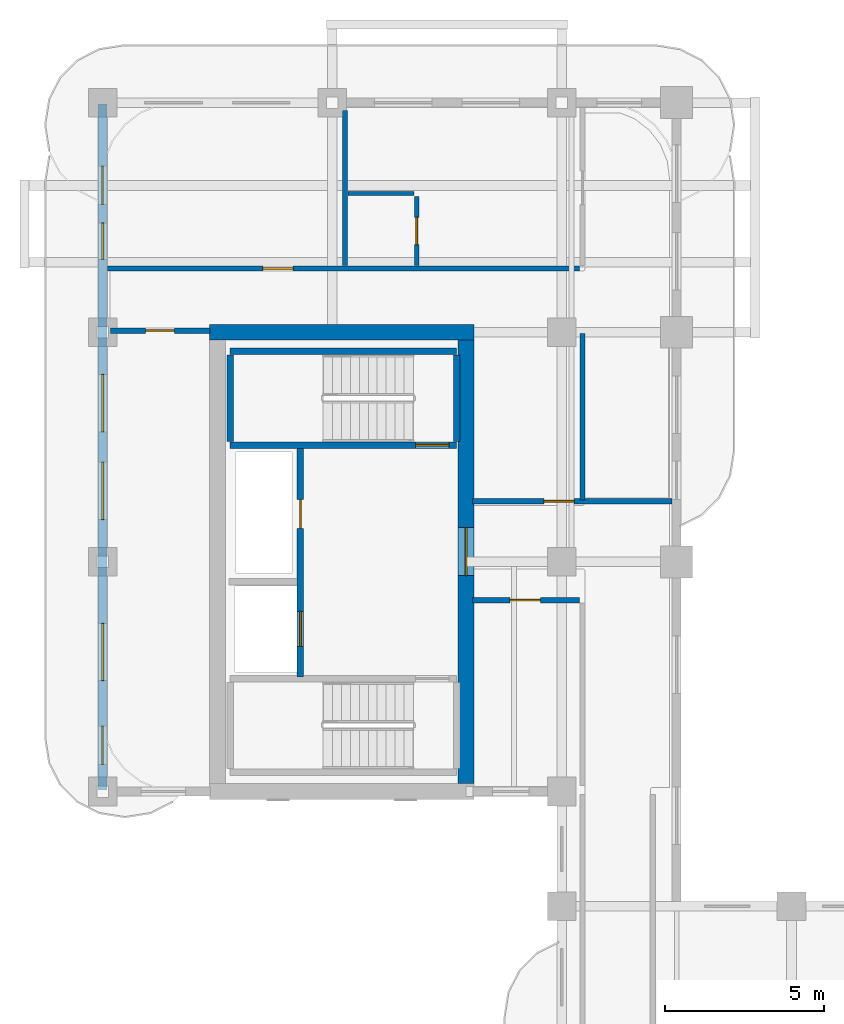
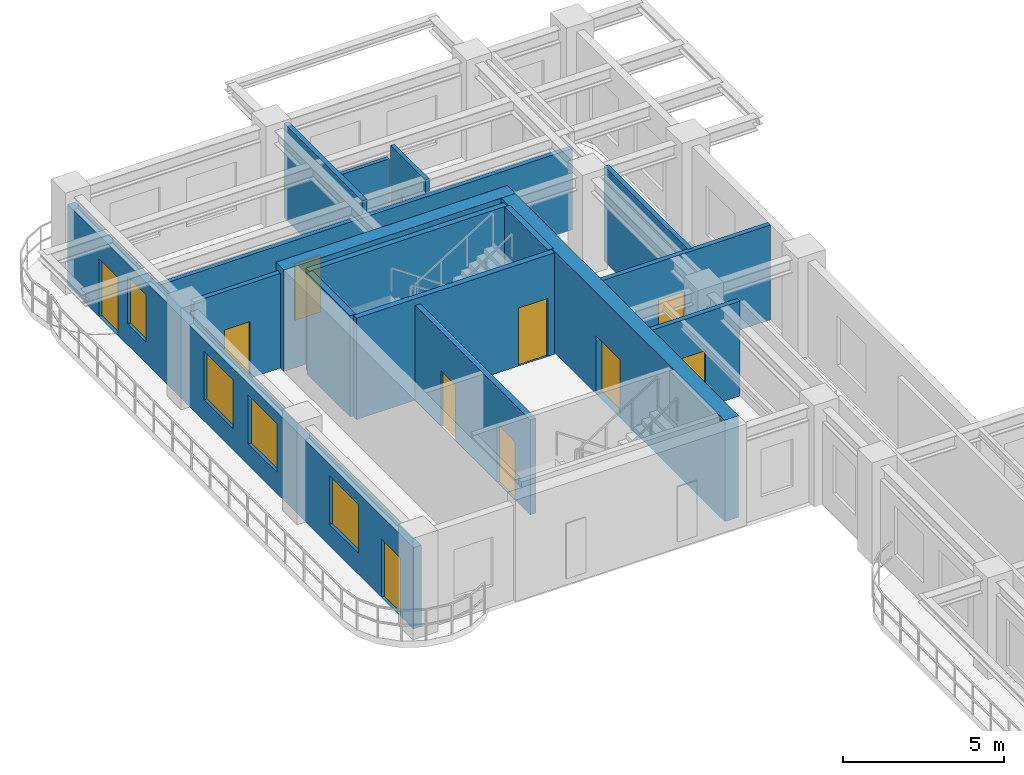
# One storey, part 8 of 14: 16 walls, 11 doors, 4 windows, 15 openings.
"""IFC4 building model written with IfcOpenShell, lengths in metres."""

import ifcopenshell
import ifcopenshell.guid

model = None  # the IFC model being written
_history = None  # IfcOwnerHistory: only IFC2X3 demands one
_inside = {}  # id of a spatial element -> (the spatial element, [elements in it])
_under = {}  # id of a project, library or spatial element -> (it, [spatial elements below it])
_declared = {}  # id of a project -> (the project, [libraries it declares])
_typed = {}  # id of a type object -> (the type object, [elements of that type])
_made_of = {}  # id of a material, layer set ... -> (it, [elements and type objects made of it])


def new_model(schema):
    """Start an empty IFC model of exactly this schema.

    Asked for "IFC4X3", IfcOpenShell would pick the latest addendum, in which some entities
    have other attributes; the version numbers below select the first issue.
    IFC2X3 requires an IfcOwnerHistory on every rooted entity: one is made here for all.
    """
    global model, _history
    if schema == "IFC4X3":
        model = ifcopenshell.file(schema_version=(4, 3, 0, 0))
    else:
        model = ifcopenshell.file(schema=schema)
    _inside.clear()
    _under.clear()
    _declared.clear()
    _typed.clear()
    _made_of.clear()
    _history = None
    if model.schema == "IFC2X3":
        org = make("IfcOrganization", Name="unknown")
        user = make(
            "IfcPersonAndOrganization",
            ThePerson=make("IfcPerson", FamilyName="unknown"),
            TheOrganization=org,
        )
        app = make(
            "IfcApplication",
            ApplicationDeveloper=org,
            Version="unknown",
            ApplicationFullName="unknown",
            ApplicationIdentifier="unknown",
        )
        _history = make(
            "IfcOwnerHistory",
            OwningUser=user,
            OwningApplication=app,
            ChangeAction="ADDED",
            CreationDate=0,
        )
    return model


def make(cls, **values):
    """One entity of the class cls with the attributes given. An attribute that is None is left unset."""
    return model.create_entity(
        cls, **{name: value for name, value in values.items() if value is not None}
    )


def rooted(cls, **values):
    """An entity with a GlobalId (a new one), such as an element, a storey or a relation."""
    return make(cls, GlobalId=ifcopenshell.guid.new(), OwnerHistory=_history, **values)


def si_unit(unit_type, name, prefix=None):
    """IfcSIUnit, for example si_unit("LENGTHUNIT", "METRE", prefix="MILLI")."""
    return make("IfcSIUnit", UnitType=unit_type, Prefix=prefix, Name=name)


def derived_unit(unit_type, elements):
    """IfcDerivedUnit: a product of units, each with its exponent."""
    return make(
        "IfcDerivedUnit",
        Elements=[
            make("IfcDerivedUnitElement", Unit=unit, Exponent=power)
            for unit, power in elements
        ],
        UnitType=unit_type,
    )


def assignment(units):
    """IfcUnitAssignment: the units of a project."""
    return None if units is None else make("IfcUnitAssignment", Units=units)


def point(xyz):
    """IfcCartesianPoint."""
    return None if xyz is None else make("IfcCartesianPoint", Coordinates=xyz)


def direction(xyz):
    """IfcDirection."""
    return None if xyz is None else make("IfcDirection", DirectionRatios=xyz)


def frame(location, z_axis=None, x_axis=None):
    """IfcAxis2Placement3D, a coordinate frame: its origin and axes. An axis left out is left unset."""
    return make(
        "IfcAxis2Placement3D",
        Location=point(location),
        Axis=direction(z_axis),
        RefDirection=direction(x_axis),
    )


def frame_2d(location, x_axis=None):
    """IfcAxis2Placement2D, a coordinate frame in the plane: its origin and x axis."""
    return make(
        "IfcAxis2Placement2D", Location=point(location), RefDirection=direction(x_axis)
    )


def origin():
    """The frame at (0, 0, 0) with its axes left unset."""
    return frame((0.0, 0.0, 0.0))


def place(relative_to, where):
    """IfcLocalPlacement: puts the frame where relative to a parent placement (None: the world)."""
    return make(
        "IfcLocalPlacement", PlacementRelTo=relative_to, RelativePlacement=where
    )


def context(
    kind, dimensions, precision=None, world=None, true_north=None, identifier=None
):
    """IfcGeometricRepresentationContext, for example the 3D "Model" context."""
    return make(
        "IfcGeometricRepresentationContext",
        ContextIdentifier=identifier,
        ContextType=kind,
        CoordinateSpaceDimension=dimensions,
        Precision=precision,
        WorldCoordinateSystem=world,
        TrueNorth=true_north,
    )


def subcontext(parent, identifier, kind, view, scale=None):
    """IfcGeometricRepresentationSubContext, for example "Body" below "Model"."""
    return make(
        "IfcGeometricRepresentationSubContext",
        ContextIdentifier=identifier,
        ContextType=kind,
        ParentContext=parent,
        TargetScale=scale,
        TargetView=view,
    )


def project(units=None, contexts=None):
    """IfcProject with its units and contexts."""
    return rooted(
        "IfcProject",
        Name="project",
        RepresentationContexts=contexts,
        UnitsInContext=assignment(units),
    )


def spatial(cls, under=None, at=None, **own):
    """A site, building, storey or space (cls), placed at a placement, below another one or the project."""
    s = rooted(cls, ObjectPlacement=at, **own)
    if under is not None:
        _under.setdefault(under.id(), (under, []))[1].append(s)
    return s


def profile(cls, at=None, kind="AREA", **sizes):
    """A parametric profile (cls). Its sizes go by their IFC names, for example OverallWidth=200.0."""
    return make(cls, ProfileType=kind, Position=at, **sizes)


def rectangle(**sizes):
    """IfcRectangleProfileDef."""
    return profile("IfcRectangleProfileDef", **sizes)


def extrude(swept, where, along, depth):
    """IfcExtrudedAreaSolid: the profile swept, set in the frame where, extruded along a direction by depth."""
    return make(
        "IfcExtrudedAreaSolid",
        SweptArea=swept,
        Position=where,
        ExtrudedDirection=direction(along),
        Depth=depth,
    )


def shape(context_of_items, identifier, shape_type, items):
    """IfcShapeRepresentation: the items that make up one representation, for example the "Body"."""
    return make(
        "IfcShapeRepresentation",
        ContextOfItems=context_of_items,
        RepresentationIdentifier=identifier,
        RepresentationType=shape_type,
        Items=items,
    )


def source(mapping_origin, context_of_items, identifier, shape_type, items):
    """IfcRepresentationMap: a shape defined once, which mapped items show again and again."""
    return make(
        "IfcRepresentationMap",
        MappingOrigin=mapping_origin,
        MappedRepresentation=shape(context_of_items, identifier, shape_type, items),
    )


def transform(
    local_origin,
    x_axis=None,
    y_axis=None,
    z_axis=None,
    scale=None,
    scale2=None,
    scale3=None,
    uniform=True,
):
    """IfcCartesianTransformationOperator3D, or its non-uniform kind. x_axis, y_axis, z_axis: its Axis1, 2, 3."""
    if uniform:
        return make(
            "IfcCartesianTransformationOperator3D",
            Axis1=direction(x_axis),
            Axis2=direction(y_axis),
            LocalOrigin=point(local_origin),
            Scale=scale,
            Axis3=direction(z_axis),
        )
    return make(
        "IfcCartesianTransformationOperator3DnonUniform",
        Axis1=direction(x_axis),
        Axis2=direction(y_axis),
        LocalOrigin=point(local_origin),
        Scale=scale,
        Axis3=direction(z_axis),
        Scale2=scale2,
        Scale3=scale3,
    )


def mapped(mapping_source, mapping_target):
    """IfcMappedItem: shows the shape of a source again, moved by a transform."""
    return make(
        "IfcMappedItem", MappingSource=mapping_source, MappingTarget=mapping_target
    )


def material(Name=None, Category=None):
    """IfcMaterial."""
    return make("IfcMaterial", Name=Name, Category=Category)


def layer(
    of_material, thickness, ventilated=None, Name=None, Category=None, Priority=None
):
    """IfcMaterialLayer: one layer of a wall or slab, of a material (None: an air gap)."""
    return make(
        "IfcMaterialLayer",
        Material=of_material,
        LayerThickness=thickness,
        IsVentilated=ventilated,
        Name=Name,
        Category=Category,
        Priority=Priority,
    )


def layer_set(layers, Name=None):
    """IfcMaterialLayerSet."""
    return make("IfcMaterialLayerSet", MaterialLayers=layers, LayerSetName=Name)


def made_of(thing, what):
    """Note that an element or type object is made of a material, layer set ...; save() writes the relation."""
    if what is not None:
        _made_of.setdefault(what.id(), (what, []))[1].append(thing)
    return thing


def type_object(cls, material=None, **own):
    """A type object (cls), such as IfcWallType, which elements share."""
    return made_of(rooted(cls, **own), material)


def type_shapes(of_type, sources):
    """Give a type object the sources (RepresentationMaps) that its elements show as mapped items."""
    of_type.RepresentationMaps = sources


def element(
    cls,
    number,
    at=None,
    inside=None,
    cuts=None,
    type_object=None,
    material=None,
    context=None,
    identifier="Body",
    shape_type=None,
    held_by="IfcProductDefinitionShape",
    body=None,
    shapes=None,
    **own,
):
    """One element of the class cls, such as IfcWall. Its Tag is "e" and its number.

    at: its placement. inside: the storey or other place that contains it. cuts: it is an
    opening in that element (IfcRelVoidsElement). A single representation is given by context,
    identifier, shape_type and body (its items); several are given by shapes. held_by: the class
    of the entity that holds the representations. save() writes the other relations.
    """
    e = rooted(cls, Tag="e%d" % number, ObjectPlacement=at, **own)
    if body is not None:
        shapes = [shape(context, identifier, shape_type, body)]
    if shapes is not None:
        e.Representation = make(held_by, Representations=shapes)
    if inside is not None:
        _inside.setdefault(inside.id(), (inside, []))[1].append(e)
    if cuts is not None:
        rooted(
            "IfcRelVoidsElement", RelatingBuildingElement=cuts, RelatedOpeningElement=e
        )
    if type_object is not None:
        _typed.setdefault(type_object.id(), (type_object, []))[1].append(e)
    return made_of(e, material)


def fill(opening, filler):
    """IfcRelFillsElement: the door or window that sits in an opening."""
    return rooted(
        "IfcRelFillsElement",
        RelatingOpeningElement=opening,
        RelatedBuildingElement=filler,
    )


def aggregate(whole, parts):
    """IfcRelAggregates: a whole, such as a stair, and the parts it consists of."""
    return rooted("IfcRelAggregates", RelatingObject=whole, RelatedObjects=parts)


def save(model, path):
    """Write the relations noted so far, then the file.

    IfcRelAggregates (storeys below a building ...), IfcRelContainedInSpatialStructure (elements
    in a storey), IfcRelDefinesByType, IfcRelAssociatesMaterial and IfcRelDeclares: one each for
    every whole, place, type object, material and project.
    """
    for whole, parts in _under.values():
        aggregate(whole, parts)
    for where, things in _inside.values():
        rooted(
            "IfcRelContainedInSpatialStructure",
            RelatedElements=things,
            RelatingStructure=where,
        )
    for kind, things in _typed.values():
        rooted("IfcRelDefinesByType", RelatedObjects=things, RelatingType=kind)
    for what, things in _made_of.values():
        rooted("IfcRelAssociatesMaterial", RelatedObjects=things, RelatingMaterial=what)
    for by, libraries in _declared.values():
        rooted("IfcRelDeclares", RelatingContext=by, RelatedDefinitions=libraries)
    model.write(path)


model = new_model("IFC4")

# Units and contexts
model_context = context("Model", 3, precision=1e-05, world=origin(), true_north=direction((0.0, 1.0)))
body_context = subcontext(model_context, "Body", "Model", "MODEL_VIEW")
ifc_project = project(units=[si_unit("LENGTHUNIT", "METRE"), si_unit("AREAUNIT", "SQUARE_METRE"), si_unit("VOLUMEUNIT", "CUBIC_METRE"), si_unit("PLANEANGLEUNIT", "RADIAN"), si_unit("MASSUNIT", "GRAM", prefix="KILO"), si_unit("THERMODYNAMICTEMPERATUREUNIT", "KELVIN"), si_unit("POWERUNIT", "WATT"), derived_unit("THERMALTRANSMITTANCEUNIT", [(si_unit("POWERUNIT", "WATT"), 1), (si_unit("AREAUNIT", "SQUARE_METRE"), -1), (si_unit("THERMODYNAMICTEMPERATUREUNIT", "KELVIN"), -1)])], contexts=[model_context])

# Site, building, storey
site_placement = place(None, origin())
site = spatial("IfcSite", under=ifc_project, at=site_placement, CompositionType="ELEMENT")
building_placement = place(site_placement, origin())
building = spatial("IfcBuilding", under=site, at=building_placement, Name="Zahravan Archway Hotel and Residences", CompositionType="ELEMENT")
storey_placement = place(building_placement, frame((0.0, 0.0, 205.75)))
storey = spatial("IfcBuildingStorey", under=building, at=storey_placement, Name="L51", CompositionType="ELEMENT", Elevation=205.75)

# Wall
ifc_material_1 = material(Name="Concrete C60/75", Category="concrete")
ifc_layer_1 = layer(ifc_material_1, 0.5, Name="Concrete C60/75", Category="concrete")
ifc_layer_set_1 = layer_set([ifc_layer_1], Name="Concrete C60/75")
wall_type_1 = type_object("IfcWallType", Name="CW-CORE-500", PredefinedType="SHEAR", material=ifc_layer_set_1)
wall_1_placement = place(storey_placement, frame((3.35009765625, 39.60009765625, 0.0), z_axis=(0.0, 0.0, 1.0), x_axis=(1.0, 0.0, 0.0)))
element("IfcWall", 1, at=wall_1_placement, inside=storey, type_object=wall_type_1, Name="L51 Core B Shear N Wall 500 mm", PredefinedType="SHEAR", context=body_context, shape_type="SweptSolid", body=[
    extrude(rectangle(XDim=8.2998046875, YDim=0.5, at=frame_2d((4.14990234375, 0.0))), origin(), (0.0, 0.0, 1.0), 3.85009765625),
])

# Wall, opening, door
wall_2_placement = place(storey_placement, frame((11.39990234375, 25.449951171875, 0.0), z_axis=(0.0, 0.0, 1.0), x_axis=(0.0, 1.0, 0.0)))
wall_2 = element("IfcWall", 2, at=wall_2_placement, inside=storey, type_object=wall_type_1, Name="L51 Core B Shear E Wall 500 mm", PredefinedType="SHEAR", context=body_context, shape_type="SweptSolid", body=[
    extrude(rectangle(XDim=13.900146484375, YDim=0.5, at=frame_2d((6.9501953125, 0.0))), origin(), (0.0, 0.0, 1.0), 3.85009765625),
])
opening_1_placement = place(wall_2_placement, frame((6.52001953125, 0.0, 0.0)))
opening_1 = element("IfcOpeningElement", 3, at=opening_1_placement, cuts=wall_2, Name="Opening FD-L1", PredefinedType="OPENING", context=body_context, shape_type="SweptSolid", body=[
    extrude(rectangle(XDim=1.5, YDim=2.199951171875, at=frame_2d((0.75, 1.10009765625))), frame((0.0, 0.260009765625, 0.0), z_axis=(0.0, -1.0, 0.0), x_axis=(1.0, 0.0, 0.0)), (0.0, 0.0, 1.0), 0.52001953125),
])
ifc_material_2 = material(Name="Fire-Rated Painted Steel", Category="steel")
door_type_1 = type_object("IfcDoorType", Name="FD-LOBBY-1500", OperationType="DOUBLE_DOOR_SINGLE_SWING", PredefinedType="DOOR", material=ifc_material_2)
shared_shape_1 = source(origin(), body_context, "Body", "SweptSolid", [
    extrude(rectangle(XDim=1.5, YDim=2.199951171875, at=frame_2d((0.75, 1.10009765625))), frame((0.0, 0.02490234375, 0.0), z_axis=(0.0, -1.0, 0.0), x_axis=(1.0, 0.0, 0.0)), (0.0, 0.0, 1.0), 0.050048828125),
])
type_shapes(door_type_1, [shared_shape_1])
door_1_placement = place(opening_1_placement, origin())
door_1 = element("IfcDoor", 4, at=door_1_placement, inside=storey, type_object=door_type_1, Name="L51 Core B FSAE Lobby Door", OperationType="DOUBLE_DOOR_SINGLE_SWING", OverallHeight=2.199951171875, OverallWidth=1.5, PredefinedType="DOOR", context=body_context, shape_type="MappedRepresentation", body=[
    mapped(shared_shape_1, transform((0.0, 0.0, 0.0), scale=1.0)),
])
fill(opening_1, door_1)

# Wall, openings, doors, windows
ifc_material_3 = material(Name="Honed Red-Ochre Sandstone & Insulated Block", Category="masonry")
ifc_layer_2 = layer(ifc_material_3, 0.280029296875, Name="Honed Red-Ochre Sandstone & Insulated Block", Category="masonry")
ifc_layer_set_2 = layer_set([ifc_layer_2], Name="Honed Red-Ochre Sandstone & Insulated Block")
wall_type_2 = type_object("IfcWallType", Name="EW-LOG-280", PredefinedType="SOLIDWALL", material=ifc_layer_set_2)
wall_3_placement = place(storey_placement, frame((0.0, 25.25, 0.0), z_axis=(0.0, 0.0, 1.0), x_axis=(0.0, 1.0, 0.0)))
wall_3 = element("IfcWall", 5, at=wall_3_placement, inside=storey, type_object=wall_type_2, Name="L51 Exterior Sandstone Wall WB-W", PredefinedType="SOLIDWALL", context=body_context, shape_type="SweptSolid", body=[
    extrude(rectangle(XDim=21.5, YDim=0.280029296875, at=frame_2d((10.75, 0.0))), origin(), (0.0, 0.0, 1.0), 3.0849609375),
])
opening_2_placement = place(wall_3_placement, frame((18.35693359375, 0.0, 0.0)))
opening_2 = element("IfcOpeningElement", 6, at=opening_2_placement, cuts=wall_3, Name="Opening ED-BL1", PredefinedType="OPENING", context=body_context, shape_type="SweptSolid", body=[
    extrude(rectangle(XDim=1.199951171875, YDim=2.199951171875, at=frame_2d((0.60009765625, 1.10009765625))), frame((0.0, 0.14990234375, 0.0), z_axis=(0.0, -1.0, 0.0), x_axis=(1.0, 0.0, 0.0)), (0.0, 0.0, 1.0), 0.300048828125),
])
opening_3_placement = place(wall_3_placement, frame((0.800048828125, 0.0, 0.0)))
opening_3 = element("IfcOpeningElement", 7, at=opening_3_placement, cuts=wall_3, Name="Opening ED-BL1", PredefinedType="OPENING", context=body_context, shape_type="SweptSolid", body=[
    extrude(rectangle(XDim=1.199951171875, YDim=2.199951171875, at=frame_2d((0.60009765625, 1.10009765625))), frame((0.0, 0.14990234375, 0.0), z_axis=(0.0, -1.0, 0.0), x_axis=(1.0, 0.0, 0.0)), (0.0, 0.0, 1.0), 0.300048828125),
])
opening_4_placement = place(wall_3_placement, frame((3.425048828125, 0.0, 0.800048828125)))
opening_4 = element("IfcOpeningElement", 8, at=opening_4_placement, cuts=wall_3, Name="Opening W-02", PredefinedType="OPENING", context=body_context, shape_type="SweptSolid", body=[
    extrude(rectangle(XDim=1.800048828125, YDim=1.85009765625, at=frame_2d((0.89990234375, 0.925048828125))), frame((0.0, 0.14990234375, 0.0), z_axis=(0.0, -1.0, 0.0), x_axis=(1.0, 0.0, 0.0)), (0.0, 0.0, 1.0), 0.300048828125),
])
opening_5_placement = place(wall_3_placement, frame((8.47509765625, 0.0, 0.800048828125)))
opening_5 = element("IfcOpeningElement", 9, at=opening_5_placement, cuts=wall_3, Name="Opening W-02", PredefinedType="OPENING", context=body_context, shape_type="SweptSolid", body=[
    extrude(rectangle(XDim=1.800048828125, YDim=1.85009765625, at=frame_2d((0.89990234375, 0.925048828125))), frame((0.0, 0.14990234375, 0.0), z_axis=(0.0, -1.0, 0.0), x_axis=(1.0, 0.0, 0.0)), (0.0, 0.0, 1.0), 0.300048828125),
])
opening_6_placement = place(wall_3_placement, frame((11.22509765625, 0.0, 0.800048828125)))
opening_6 = element("IfcOpeningElement", 10, at=opening_6_placement, cuts=wall_3, Name="Opening W-02", PredefinedType="OPENING", context=body_context, shape_type="SweptSolid", body=[
    extrude(rectangle(XDim=1.800048828125, YDim=1.85009765625, at=frame_2d((0.89990234375, 0.925048828125))), frame((0.0, 0.14990234375, 0.0), z_axis=(0.0, -1.0, 0.0), x_axis=(1.0, 0.0, 0.0)), (0.0, 0.0, 1.0), 0.300048828125),
])
opening_7_placement = place(wall_3_placement, frame((16.632080078125, 0.0, 0.800048828125)))
opening_7 = element("IfcOpeningElement", 11, at=opening_7_placement, cuts=wall_3, Name="Opening W-05", PredefinedType="OPENING", context=body_context, shape_type="SweptSolid", body=[
    extrude(rectangle(XDim=1.14990234375, YDim=1.800048828125, at=frame_2d((0.574951171875, 0.89990234375))), frame((0.0, 0.14990234375, 0.0), z_axis=(0.0, -1.0, 0.0), x_axis=(1.0, 0.0, 0.0)), (0.0, 0.0, 1.0), 0.300048828125),
])
ifc_material_4 = material(Name="Bronze-Anodized Glazed Aluminium", Category="aluminium")
door_type_2 = type_object("IfcDoorType", Name="ED-BALC-1200", OperationType="SLIDING_TO_LEFT", PredefinedType="DOOR", material=ifc_material_4)
shared_shape_2 = source(origin(), body_context, "Body", "SweptSolid", [
    extrude(rectangle(XDim=1.199951171875, YDim=2.199951171875, at=frame_2d((0.60009765625, 1.10009765625))), frame((0.0, 0.02490234375, 0.0), z_axis=(0.0, -1.0, 0.0), x_axis=(1.0, 0.0, 0.0)), (0.0, 0.0, 1.0), 0.050048828125),
])
type_shapes(door_type_2, [shared_shape_2])
door_2_placement = place(opening_2_placement, origin())
door_2 = element("IfcDoor", 12, at=door_2_placement, inside=storey, type_object=door_type_2, Name="L51 Outdoor Access Sliding Door (SLB-BAL-L51-NB)", OperationType="SLIDING_TO_LEFT", OverallHeight=2.199951171875, OverallWidth=1.199951171875, PredefinedType="DOOR", context=body_context, shape_type="MappedRepresentation", body=[
    mapped(shared_shape_2, transform((0.0, 0.0, 0.0), scale=1.0)),
])
fill(opening_2, door_2)
door_3_placement = place(opening_3_placement, origin())
door_3 = element("IfcDoor", 13, at=door_3_placement, inside=storey, type_object=door_type_2, Name="L51 Outdoor Access Sliding Door (SLB-BAL-L51-WB)", OperationType="SLIDING_TO_LEFT", OverallHeight=2.199951171875, OverallWidth=1.199951171875, PredefinedType="DOOR", context=body_context, shape_type="MappedRepresentation", body=[
    mapped(shared_shape_2, transform((0.0, 0.0, 0.0), scale=1.0)),
])
fill(opening_3, door_3)
ifc_material_5 = material(Name="Bronze-Anodized Thermal-Break Aluminium & Low-E Glass", Category="aluminium")
window_type_1 = type_object("IfcWindowType", Name="WIN-TWR-1800", PartitioningType="DOUBLE_PANEL_VERTICAL", PredefinedType="WINDOW", material=ifc_material_5)
shared_shape_3 = source(origin(), body_context, "Body", "SweptSolid", [
    extrude(rectangle(XDim=1.800048828125, YDim=1.85009765625, at=frame_2d((0.89990234375, 0.925048828125))), frame((0.0, 0.030029296875, 0.0), z_axis=(0.0, -1.0, 0.0), x_axis=(1.0, 0.0, 0.0)), (0.0, 0.0, 1.0), 0.06005859375),
])
type_shapes(window_type_1, [shared_shape_3])
window_1_placement = place(opening_4_placement, origin())
window_1 = element("IfcWindow", 14, at=window_1_placement, inside=storey, type_object=window_type_1, Name="L51 Loggia Window 31", OverallHeight=1.85009765625, OverallWidth=1.800048828125, PartitioningType="DOUBLE_PANEL_VERTICAL", PredefinedType="WINDOW", context=body_context, shape_type="MappedRepresentation", body=[
    mapped(shared_shape_3, transform((0.0, 0.0, 0.0), scale=1.0)),
])
fill(opening_4, window_1)
window_2_placement = place(opening_5_placement, origin())
window_2 = element("IfcWindow", 15, at=window_2_placement, inside=storey, type_object=window_type_1, Name="L51 Loggia Window 32", OverallHeight=1.85009765625, OverallWidth=1.800048828125, PartitioningType="DOUBLE_PANEL_VERTICAL", PredefinedType="WINDOW", context=body_context, shape_type="MappedRepresentation", body=[
    mapped(shared_shape_3, transform((0.0, 0.0, 0.0), scale=1.0)),
])
fill(opening_5, window_2)
window_3_placement = place(opening_6_placement, origin())
window_3 = element("IfcWindow", 16, at=window_3_placement, inside=storey, type_object=window_type_1, Name="L51 Loggia Window 33", OverallHeight=1.85009765625, OverallWidth=1.800048828125, PartitioningType="DOUBLE_PANEL_VERTICAL", PredefinedType="WINDOW", context=body_context, shape_type="MappedRepresentation", body=[
    mapped(shared_shape_3, transform((0.0, 0.0, 0.0), scale=1.0)),
])
fill(opening_6, window_3)
window_type_2 = type_object("IfcWindowType", Name="WIN-TWR-1150", PartitioningType="SINGLE_PANEL", PredefinedType="WINDOW", material=ifc_material_5)
shared_shape_4 = source(origin(), body_context, "Body", "SweptSolid", [
    extrude(rectangle(XDim=1.14990234375, YDim=1.800048828125, at=frame_2d((0.574951171875, 0.89990234375))), frame((0.0, 0.030029296875, 0.0), z_axis=(0.0, -1.0, 0.0), x_axis=(1.0, 0.0, 0.0)), (0.0, 0.0, 1.0), 0.06005859375),
])
type_shapes(window_type_2, [shared_shape_4])
window_4_placement = place(opening_7_placement, origin())
window_4 = element("IfcWindow", 17, at=window_4_placement, inside=storey, type_object=window_type_2, Name="L51 Loggia Window 34", OverallHeight=1.800048828125, OverallWidth=1.14990234375, PartitioningType="SINGLE_PANEL", PredefinedType="WINDOW", context=body_context, shape_type="MappedRepresentation", body=[
    mapped(shared_shape_4, transform((0.0, 0.0, 0.0), scale=1.0)),
])
fill(opening_7, window_4)

# Wall
ifc_material_6 = material(Name="Fire-Rated Gypsum & Concrete Block", Category="concrete")
ifc_layer_3 = layer(ifc_material_6, 0.159912109375, Name="Fire-Rated Gypsum & Concrete Block", Category="concrete")
ifc_layer_set_3 = layer_set([ifc_layer_3], Name="Fire-Rated Gypsum & Concrete Block")
wall_type_3 = type_object("IfcWallType", Name="PW-CORR-160", PredefinedType="PARTITIONING", material=ifc_layer_set_3)
wall_4_placement = place(storey_placement, frame((15.050048828125, 34.340087890625, 0.0), z_axis=(0.0, 0.0, 1.0), x_axis=(0.0, 1.0, 0.0)))
element("IfcWall", 18, at=wall_4_placement, inside=storey, type_object=wall_type_3, Name="L51 Partition WBN-CL", PredefinedType="PARTITIONING", context=body_context, shape_type="SweptSolid", body=[
    extrude(rectangle(XDim=5.219970703125, YDim=0.159912109375, at=frame_2d((2.60986328125, 0.0))), origin(), (0.0, 0.0, 1.0), 3.60009765625),
])

# Wall, opening, door
wall_5_placement = place(storey_placement, frame((0.14794921875, 41.60009765625, 0.0), z_axis=(0.0, 0.0, 1.0), x_axis=(1.0, 0.0, 0.0)))
wall_5 = element("IfcWall", 19, at=wall_5_placement, inside=storey, type_object=wall_type_3, Name="L51 Partition WBN-S2", PredefinedType="PARTITIONING", context=body_context, shape_type="SweptSolid", body=[
    extrude(rectangle(XDim=14.81201171875, YDim=0.159912109375, at=frame_2d((7.406005859375, 0.0))), origin(), (0.0, 0.0, 1.0), 3.0849609375),
])
opening_8_placement = place(wall_5_placement, frame((4.876953125, 0.0, 0.0)))
opening_8 = element("IfcOpeningElement", 20, at=opening_8_placement, cuts=wall_5, Name="Opening D-I1", PredefinedType="OPENING", context=body_context, shape_type="SweptSolid", body=[
    extrude(rectangle(XDim=0.949951171875, YDim=2.14990234375, at=frame_2d((0.47509765625, 1.074951171875))), frame((0.0, 0.08984375, 0.0), z_axis=(0.0, -1.0, 0.0), x_axis=(1.0, 0.0, 0.0)), (0.0, 0.0, 1.0), 0.179931640625),
])
ifc_material_7 = material(Name="Hardwood Veneer Timber", Category="wood")
door_type_3 = type_object("IfcDoorType", Name="ID-INT-950", OperationType="NOTDEFINED", PredefinedType="DOOR", material=ifc_material_7)
shared_shape_5 = source(origin(), body_context, "Body", "SweptSolid", [
    extrude(rectangle(XDim=0.949951171875, YDim=2.14990234375, at=frame_2d((0.47509765625, 1.074951171875))), frame((0.0, 0.02490234375, 0.0), z_axis=(0.0, -1.0, 0.0), x_axis=(1.0, 0.0, 0.0)), (0.0, 0.0, 1.0), 0.050048828125),
])
type_shapes(door_type_3, [shared_shape_5])
door_4_placement = place(opening_8_placement, origin())
door_4 = element("IfcDoor", 21, at=door_4_placement, inside=storey, type_object=door_type_3, Name="L51 North West Study Door", OperationType="SINGLE_SWING_RIGHT", OverallHeight=2.14990234375, OverallWidth=0.949951171875, PredefinedType="DOOR", context=body_context, shape_type="MappedRepresentation", body=[
    mapped(shared_shape_5, transform((0.0, 0.0, 0.0), scale=1.0)),
])
fill(opening_8, door_4)

# Wall, openings, doors
ifc_layer_4 = layer(ifc_material_6, 0.199951171875, Name="Fire-Rated Gypsum & Concrete Block", Category="concrete")
ifc_layer_set_4 = layer_set([ifc_layer_4], Name="Fire-Rated Gypsum & Concrete Block")
wall_type_4 = type_object("IfcWallType", Name="PW-SHAFT-200", PredefinedType="PARTITIONING", material=ifc_layer_set_4)
wall_6_placement = place(storey_placement, frame((6.199951171875, 28.7900390625, 0.0), z_axis=(0.0, 0.0, 1.0), x_axis=(0.0, 1.0, 0.0)))
wall_6 = element("IfcWall", 22, at=wall_6_placement, inside=storey, type_object=wall_type_4, Name="L51 Partition CB-FL3E", PredefinedType="PARTITIONING", context=body_context, shape_type="SweptSolid", body=[
    extrude(rectangle(XDim=7.219970703125, YDim=0.199951171875, at=frame_2d((3.60986328125, 0.0))), origin(), (0.0, 0.0, 1.0), 3.60009765625),
])
opening_9_placement = place(wall_6_placement, frame((4.659912109375, 0.0, 0.0)))
opening_9 = element("IfcOpeningElement", 23, at=opening_9_placement, cuts=wall_6, Name="Opening FD-R1", PredefinedType="OPENING", context=body_context, shape_type="SweptSolid", body=[
    extrude(rectangle(XDim=0.89990234375, YDim=2.10009765625, at=frame_2d((0.449951171875, 1.050048828125))), frame((0.0, 0.10986328125, 0.0), z_axis=(0.0, -1.0, 0.0), x_axis=(1.0, 0.0, 0.0)), (0.0, 0.0, 1.0), 0.219970703125),
])
opening_10_placement = place(wall_6_placement, frame((0.9599609375, 0.0, 0.0)))
opening_10 = element("IfcOpeningElement", 24, at=opening_10_placement, cuts=wall_6, Name="Opening LD", PredefinedType="OPENING", context=body_context, shape_type="SweptSolid", body=[
    extrude(rectangle(XDim=1.10009765625, YDim=2.199951171875, at=frame_2d((0.550048828125, 1.10009765625))), frame((0.0, 0.10986328125, 0.0), z_axis=(0.0, -1.0, 0.0), x_axis=(1.0, 0.0, 0.0)), (0.0, 0.0, 1.0), 0.219970703125),
])
door_type_4 = type_object("IfcDoorType", Name="FD-RISER-900", OperationType="NOTDEFINED", PredefinedType="DOOR", material=ifc_material_2)
shared_shape_6 = source(origin(), body_context, "Body", "SweptSolid", [
    extrude(rectangle(XDim=0.89990234375, YDim=2.10009765625, at=frame_2d((0.449951171875, 1.050048828125))), frame((0.0, 0.02490234375, 0.0), z_axis=(0.0, -1.0, 0.0), x_axis=(1.0, 0.0, 0.0)), (0.0, 0.0, 1.0), 0.050048828125),
])
type_shapes(door_type_4, [shared_shape_6])
door_5_placement = place(opening_9_placement, origin())
door_5 = element("IfcDoor", 25, at=door_5_placement, inside=storey, type_object=door_type_4, Name="L51 Core B Riser Door", OperationType="SINGLE_SWING_LEFT", OverallHeight=2.10009765625, OverallWidth=0.89990234375, PredefinedType="DOOR", context=body_context, shape_type="MappedRepresentation", body=[
    mapped(shared_shape_6, transform((0.0, 0.0, 0.0), scale=1.0)),
])
fill(opening_9, door_5)
ifc_material_8 = material(Name="Brushed Stainless Steel", Category="steel")
door_type_5 = type_object("IfcDoorType", Name="DR-LIFT-LD", OperationType="SLIDING_TO_LEFT", PredefinedType="DOOR", material=ifc_material_8)
shared_shape_7 = source(origin(), body_context, "Body", "SweptSolid", [
    extrude(rectangle(XDim=1.10009765625, YDim=2.199951171875, at=frame_2d((0.550048828125, 1.10009765625))), frame((0.0, 0.02490234375, 0.0), z_axis=(0.0, -1.0, 0.0), x_axis=(1.0, 0.0, 0.0)), (0.0, 0.0, 1.0), 0.050048828125),
])
type_shapes(door_type_5, [shared_shape_7])
door_6_placement = place(opening_10_placement, origin())
door_6 = element("IfcDoor", 26, at=door_6_placement, inside=storey, type_object=door_type_5, Name="L51 Lift FL-3 Sliding Landing Door", OperationType="SLIDING_TO_LEFT", OverallHeight=2.199951171875, OverallWidth=1.10009765625, PredefinedType="DOOR", context=body_context, shape_type="MappedRepresentation", body=[
    mapped(shared_shape_7, transform((0.0, 0.0, 0.0), scale=1.0)),
])
fill(opening_10, door_6)

# Wall, opening, door
ifc_material_9 = material(Name="Acoustic Stud Partition")
ifc_layer_5 = layer(ifc_material_9, 0.169921875, Name="Acoustic Stud Partition")
ifc_layer_set_5 = layer_set([ifc_layer_5], Name="Acoustic Stud Partition")
wall_type_5 = type_object("IfcWallType", Name="PW-UNIT-170", PredefinedType="PARTITIONING", material=ifc_layer_set_5)
wall_7_placement = place(storey_placement, frame((0.239990234375, 39.64990234375, 0.0), z_axis=(0.0, 0.0, 1.0), x_axis=(1.0, 0.0, 0.0)))
wall_7 = element("IfcWall", 27, at=wall_7_placement, inside=storey, type_object=wall_type_5, Name="L51 Partition WBW-N", PredefinedType="PARTITIONING", context=body_context, shape_type="SweptSolid", body=[
    extrude(rectangle(XDim=3.1201171875, YDim=0.169921875, at=frame_2d((1.56005859375, 0.0))), origin(), (0.0, 0.0, 1.0), 3.60009765625),
])
opening_11_placement = place(wall_7_placement, frame((1.110107421875, 0.0, 0.0)))
opening_11 = element("IfcOpeningElement", 28, at=opening_11_placement, cuts=wall_7, Name="Opening D-I2", PredefinedType="OPENING", context=body_context, shape_type="SweptSolid", body=[
    extrude(rectangle(XDim=0.89990234375, YDim=2.14990234375, at=frame_2d((0.449951171875, 1.074951171875))), frame((0.0, 0.094970703125, 0.0), z_axis=(0.0, -1.0, 0.0), x_axis=(1.0, 0.0, 0.0)), (0.0, 0.0, 1.0), 0.18994140625),
])
door_type_6 = type_object("IfcDoorType", Name="ID-INT-900", OperationType="NOTDEFINED", PredefinedType="DOOR", material=ifc_material_7)
shared_shape_8 = source(origin(), body_context, "Body", "SweptSolid", [
    extrude(rectangle(XDim=0.89990234375, YDim=2.14990234375, at=frame_2d((0.449951171875, 1.074951171875))), frame((0.0, 0.02490234375, 0.0), z_axis=(0.0, -1.0, 0.0), x_axis=(1.0, 0.0, 0.0)), (0.0, 0.0, 1.0), 0.050048828125),
])
type_shapes(door_type_6, [shared_shape_8])
door_7_placement = place(opening_11_placement, origin())
door_7 = element("IfcDoor", 29, at=door_7_placement, inside=storey, type_object=door_type_6, Name="L51 West Loggia Salon Door", OperationType="SINGLE_SWING_RIGHT", OverallHeight=2.14990234375, OverallWidth=0.89990234375, PredefinedType="DOOR", context=body_context, shape_type="MappedRepresentation", body=[
    mapped(shared_shape_8, transform((0.0, 0.0, 0.0), scale=1.0)),
])
fill(opening_11, door_7)

# Wall
wall_8_placement = place(storey_placement, frame((7.60009765625, 41.68994140625, 0.0), z_axis=(0.0, 0.0, 1.0), x_axis=(0.0, 1.0, 0.0)))
element("IfcWall", 30, at=wall_8_placement, inside=storey, type_object=wall_type_5, Name="L51 Partition WBN-V2", PredefinedType="PARTITIONING", context=body_context, shape_type="SweptSolid", body=[
    extrude(rectangle(XDim=4.8701171875, YDim=0.169921875, at=frame_2d((2.43505859375, 0.0))), origin(), (0.0, 0.0, 1.0), 3.60009765625),
])

# Wall, opening, door
wall_9_placement = place(storey_placement, frame((11.590087890625, 31.199951171875, 0.0), z_axis=(0.0, 0.0, 1.0), x_axis=(1.0, 0.0, 0.0)))
wall_9 = element("IfcWall", 31, at=wall_9_placement, inside=storey, type_object=wall_type_5, Name="L51 Partition FB1-N", PredefinedType="PARTITIONING", context=body_context, shape_type="SweptSolid", body=[
    extrude(rectangle(XDim=3.369873046875, YDim=0.169921875, at=frame_2d((1.68505859375, 0.0))), origin(), (0.0, 0.0, 1.0), 3.60009765625),
])
opening_12_placement = place(wall_9_placement, frame((1.18505859375, 0.0, 0.0)))
opening_12 = element("IfcOpeningElement", 32, at=opening_12_placement, cuts=wall_9, Name="Opening D-I1", PredefinedType="OPENING", context=body_context, shape_type="SweptSolid", body=[
    extrude(rectangle(XDim=0.949951171875, YDim=2.14990234375, at=frame_2d((0.47509765625, 1.074951171875))), frame((0.0, 0.094970703125, 0.0), z_axis=(0.0, -1.0, 0.0), x_axis=(1.0, 0.0, 0.0)), (0.0, 0.0, 1.0), 0.18994140625),
])
door_8_placement = place(opening_12_placement, origin())
door_8 = element("IfcDoor", 33, at=door_8_placement, inside=storey, type_object=door_type_3, Name="L51 Freed Bank 1 Reading Salon Door", OperationType="SINGLE_SWING_LEFT", OverallHeight=2.14990234375, OverallWidth=0.949951171875, PredefinedType="DOOR", context=body_context, shape_type="MappedRepresentation", body=[
    mapped(shared_shape_5, transform((0.0, 0.0, 0.0), scale=1.0)),
])
fill(opening_12, door_8)

wall_10_placement = place(storey_placement, frame((11.590087890625, 34.300048828125, 0.0), z_axis=(0.0, 0.0, 1.0), x_axis=(1.0, 0.0, 0.0)))
wall_10 = element("IfcWall", 34, at=wall_10_placement, inside=storey, type_object=wall_type_5, Name="L51 Partition FB2-S", PredefinedType="PARTITIONING", context=body_context, shape_type="SweptSolid", body=[
    extrude(rectangle(XDim=6.261962890625, YDim=0.169921875, at=frame_2d((3.130859375, 0.0))), origin(), (0.0, 0.0, 1.0), 3.60009765625),
])
opening_13_placement = place(wall_10_placement, frame((2.244384765625, 0.0, 0.0)))
opening_13 = element("IfcOpeningElement", 35, at=opening_13_placement, cuts=wall_10, Name="Opening D-I1", PredefinedType="OPENING", context=body_context, shape_type="SweptSolid", body=[
    extrude(rectangle(XDim=0.949951171875, YDim=2.14990234375, at=frame_2d((0.47509765625, 1.074951171875))), frame((0.0, 0.094970703125, 0.0), z_axis=(0.0, -1.0, 0.0), x_axis=(1.0, 0.0, 0.0)), (0.0, 0.0, 1.0), 0.18994140625),
])
door_9_placement = place(opening_13_placement, origin())
door_9 = element("IfcDoor", 36, at=door_9_placement, inside=storey, type_object=door_type_3, Name="L51 Freed Bank 2 Summit Archive Door", OperationType="SINGLE_SWING_RIGHT", OverallHeight=2.14990234375, OverallWidth=0.949951171875, PredefinedType="DOOR", context=body_context, shape_type="MappedRepresentation", body=[
    mapped(shared_shape_5, transform((0.0, 0.0, 0.0), scale=1.0)),
])
fill(opening_13, door_9)

# Wall
ifc_material_10 = material(Name="Moisture-Resistant Blockwork", Category="masonry")
ifc_layer_6 = layer(ifc_material_10, 0.139892578125, Name="Moisture-Resistant Blockwork", Category="masonry")
ifc_layer_set_6 = layer_set([ifc_layer_6], Name="Moisture-Resistant Blockwork")
wall_type_6 = type_object("IfcWallType", Name="PW-WET-140", PredefinedType="PARTITIONING", material=ifc_layer_set_6)
wall_11_placement = place(storey_placement, frame((7.68994140625, 43.949951171875, 0.0), z_axis=(0.0, 0.0, 1.0), x_axis=(1.0, 0.0, 0.0)))
element("IfcWall", 37, at=wall_11_placement, inside=storey, type_object=wall_type_6, Name="L51 Partition HKB-H78", PredefinedType="PARTITIONING", context=body_context, shape_type="SweptSolid", body=[
    extrude(rectangle(XDim=2.070068359375, YDim=0.139892578125, at=frame_2d((1.03515625, 0.0))), origin(), (0.0, 0.0, 1.0), 3.0849609375),
])

# Wall, opening, door
wall_12_placement = place(storey_placement, frame((9.85009765625, 41.68994140625, 0.0), z_axis=(0.0, 0.0, 1.0), x_axis=(0.0, 1.0, 0.0)))
wall_12 = element("IfcWall", 38, at=wall_12_placement, inside=storey, type_object=wall_type_6, Name="L51 Partition HKB-V78", PredefinedType="PARTITIONING", context=body_context, shape_type="SweptSolid", body=[
    extrude(rectangle(XDim=2.170166015625, YDim=0.139892578125, at=frame_2d((1.0849609375, 0.0))), origin(), (0.0, 0.0, 1.0), 3.60009765625),
])
opening_14_placement = place(wall_12_placement, frame((0.659912109375, 0.0, 0.0)))
opening_14 = element("IfcOpeningElement", 39, at=opening_14_placement, cuts=wall_12, Name="Opening D-B1", PredefinedType="OPENING", context=body_context, shape_type="SweptSolid", body=[
    extrude(rectangle(XDim=0.85009765625, YDim=2.10009765625, at=frame_2d((0.425048828125, 1.050048828125))), frame((0.0, 0.080078125, 0.0), z_axis=(0.0, -1.0, 0.0), x_axis=(1.0, 0.0, 0.0)), (0.0, 0.0, 1.0), 0.159912109375),
])
door_type_7 = type_object("IfcDoorType", Name="ID-BATH-850", OperationType="NOTDEFINED", PredefinedType="DOOR", material=ifc_material_7)
shared_shape_9 = source(origin(), body_context, "Body", "SweptSolid", [
    extrude(rectangle(XDim=0.85009765625, YDim=2.10009765625, at=frame_2d((0.425048828125, 1.050048828125))), frame((0.0, 0.02490234375, 0.0), z_axis=(0.0, -1.0, 0.0), x_axis=(1.0, 0.0, 0.0)), (0.0, 0.0, 1.0), 0.050048828125),
])
type_shapes(door_type_7, [shared_shape_9])
door_10_placement = place(opening_14_placement, origin())
door_10 = element("IfcDoor", 40, at=door_10_placement, inside=storey, type_object=door_type_7, Name="L51 Guestroom 78 En-Suite Door", OperationType="SINGLE_SWING_LEFT", OverallHeight=2.10009765625, OverallWidth=0.85009765625, PredefinedType="DOOR", context=body_context, shape_type="MappedRepresentation", body=[
    mapped(shared_shape_9, transform((0.0, 0.0, 0.0), scale=1.0)),
])
fill(opening_14, door_10)

# Walls
ifc_material_11 = material(Name="Concrete C50/60", Category="concrete")
ifc_layer_7 = layer(ifc_material_11, 0.199951171875, Name="Concrete C50/60", Category="concrete")
ifc_layer_set_7 = layer_set([ifc_layer_7], Name="Concrete C50/60")
wall_type_7 = type_object("IfcWallType", Name="SW-STAIR-200", PredefinedType="SHEAR", material=ifc_layer_set_7)
wall_13_placement = place(storey_placement, frame((4.0, 39.0, 0.0), z_axis=(0.0, 0.0, 1.0), x_axis=(1.0, 0.0, 0.0)))
element("IfcWall", 41, at=wall_13_placement, inside=storey, type_object=wall_type_7, Name="L51 Stairwell RC Wall CB-SB2N", PredefinedType="SHEAR", context=body_context, shape_type="SweptSolid", body=[
    extrude(rectangle(XDim=7.10009765625, YDim=0.199951171875, at=frame_2d((3.550048828125, 0.0))), origin(), (0.0, 0.0, 1.0), 3.85009765625),
])
for number, where, z_axis, x_axis, name in (
    (42, (4.0, 36.179931640625, 0.0), (0.0, 0.0, 1.0), (0.0, 1.0, 0.0), "L51 Stairwell RC Wall CB-SB2W"),
    (43, (11.10009765625, 36.179931640625, 0.0), (0.0, 0.0, 1.0), (0.0, 1.0, 0.0), "L51 Stairwell RC Wall CB-SB2E"),
):
    element("IfcWall", number, at=place(storey_placement, frame(where, z_axis=z_axis, x_axis=x_axis)), inside=storey, type_object=wall_type_7, Name=name, PredefinedType="SHEAR", context=body_context, shape_type="SweptSolid", body=[
        extrude(rectangle(XDim=2.699951171875, YDim=0.199951171875, at=frame_2d((1.35009765625, 0.0))), origin(), (0.0, 0.0, 1.0), 3.85009765625),
    ])

# Wall, opening, door
wall_14_placement = place(storey_placement, frame((4.0, 36.06005859375, 0.0), z_axis=(0.0, 0.0, 1.0), x_axis=(1.0, 0.0, 0.0)))
wall_14 = element("IfcWall", 44, at=wall_14_placement, inside=storey, type_object=wall_type_7, Name="L51 Stairwell RC Wall CB-SB2S", PredefinedType="SHEAR", context=body_context, shape_type="SweptSolid", body=[
    extrude(rectangle(XDim=7.10009765625, YDim=0.199951171875, at=frame_2d((3.550048828125, 0.0))), origin(), (0.0, 0.0, 1.0), 3.85009765625),
])
opening_15_placement = place(wall_14_placement, frame((5.81494140625, 0.0, 0.0)))
opening_15 = element("IfcOpeningElement", 45, at=opening_15_placement, cuts=wall_14, Name="Opening FD-S1", PredefinedType="OPENING", context=body_context, shape_type="SweptSolid", body=[
    extrude(rectangle(XDim=1.050048828125, YDim=2.199951171875, at=frame_2d((0.52490234375, 1.10009765625))), frame((0.0, 0.10986328125, 0.0), z_axis=(0.0, -1.0, 0.0), x_axis=(1.0, 0.0, 0.0)), (0.0, 0.0, 1.0), 0.219970703125),
])
door_type_8 = type_object("IfcDoorType", Name="FD-STAIR-1100", OperationType="NOTDEFINED", PredefinedType="DOOR", material=ifc_material_2)
shared_shape_10 = source(origin(), body_context, "Body", "SweptSolid", [
    extrude(rectangle(XDim=1.050048828125, YDim=2.199951171875, at=frame_2d((0.52490234375, 1.10009765625))), frame((0.0, 0.02490234375, 0.0), z_axis=(0.0, -1.0, 0.0), x_axis=(1.0, 0.0, 0.0)), (0.0, 0.0, 1.0), 0.050048828125),
])
type_shapes(door_type_8, [shared_shape_10])
door_11_placement = place(opening_15_placement, origin())
door_11 = element("IfcDoor", 46, at=door_11_placement, inside=storey, type_object=door_type_8, Name="L51 Stair ST-B2 Door", OperationType="SINGLE_SWING_RIGHT", OverallHeight=2.199951171875, OverallWidth=1.050048828125, PredefinedType="DOOR", context=body_context, shape_type="MappedRepresentation", body=[
    mapped(shared_shape_10, transform((0.0, 0.0, 0.0), scale=1.0)),
])
fill(opening_15, door_11)

save(model, "model.ifc")
